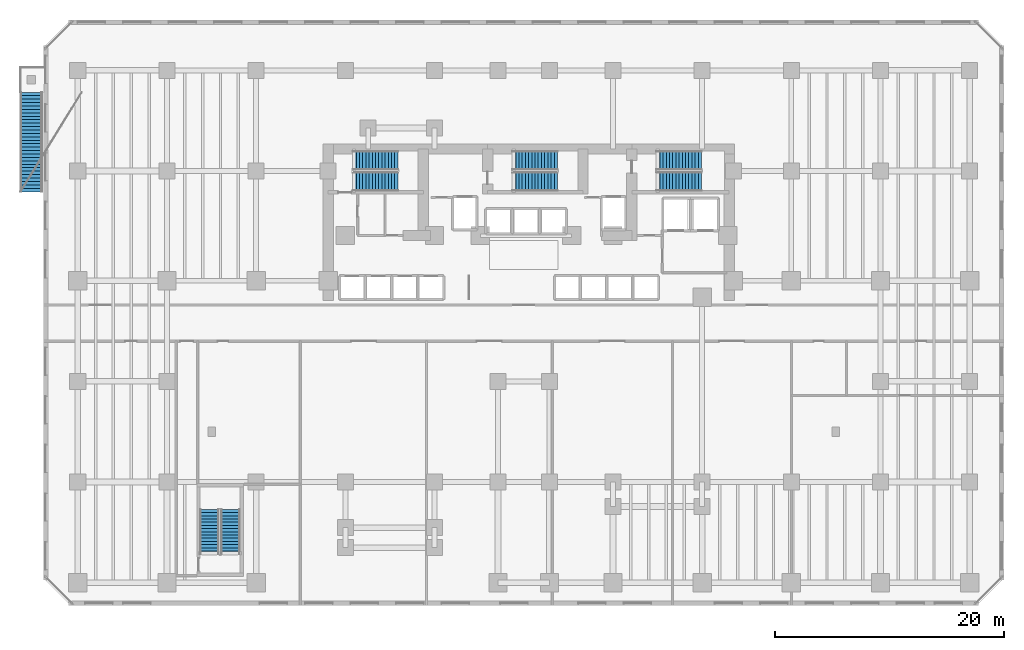
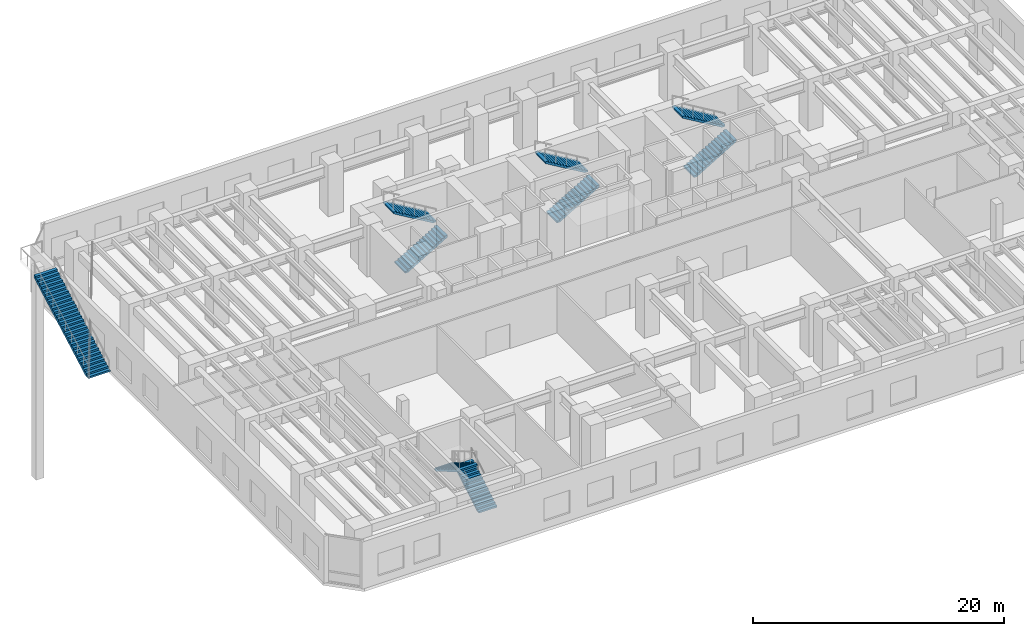
# One storey, part 17 of 20: 9 stair flights, 5 elements without a shape of their own.
"""IFC4 building model written with IfcOpenShell, lengths in metres."""

from ifc_helpers import new_model, si_unit, direction, frame, origin, place, context, subcontext, project, spatial, polyline, outline, extrude, material, type_object, element, aggregate, save


model = new_model("IFC4")

# Units and contexts
model_context = context("Model", 3, precision=1e-05, world=origin(), true_north=direction((0.0, 1.0)))
body_context = subcontext(model_context, "Body", "Model", "MODEL_VIEW")
ifc_project = project(units=[si_unit("LENGTHUNIT", "METRE"), si_unit("AREAUNIT", "SQUARE_METRE"), si_unit("VOLUMEUNIT", "CUBIC_METRE"), si_unit("PLANEANGLEUNIT", "RADIAN"), si_unit("MASSUNIT", "GRAM", prefix="KILO")], contexts=[model_context])

# Site, building, storey
site_placement = place(None, origin())
site = spatial("IfcSite", under=ifc_project, at=site_placement, CompositionType="ELEMENT")
building_placement = place(site_placement, origin())
building = spatial("IfcBuilding", under=site, at=building_placement, Name="Kestravale Grand Hotel", CompositionType="ELEMENT")
storey_placement = place(building_placement, frame((0.0, 0.0, 15.800048828125)))
storey = spatial("IfcBuildingStorey", under=building, at=storey_placement, Name="L03", CompositionType="ELEMENT", Elevation=15.800048828125)

# Stair, stair flights
ifc_material_1 = material(Name="Concrete f'c 45 MPa", Category="concrete")
stair_type_1 = type_object("IfcStairType", Name="ST-CORE-500", PredefinedType="HALF_TURN_STAIR", material=ifc_material_1)
stair_1_placement = place(storey_placement, origin())
stair_1 = element("IfcStair", 1, at=stair_1_placement, inside=storey, type_object=stair_type_1, Name="L03 ST-1", PredefinedType="HALF_TURN_STAIR")
ifc_material_2 = material(Name="Concrete f'c 45 MPa", Category="concrete")
stair_flight_type_1 = type_object("IfcStairFlightType", Name="STF-CORE-500", PredefinedType="STRAIGHT", material=ifc_material_2)
stair_flight_1_placement = place(storey_placement, frame((24.080078125, 37.489990234375, 0.0), z_axis=(0.0, 0.0, 1.0), x_axis=(1.0, 0.0, 0.0)))
stair_flight_1 = element("IfcStairFlight", 2, at=stair_flight_1_placement, type_object=stair_flight_type_1, Name="ST-1 flight 1", NumberOfRisers=15, NumberOfTreads=14, PredefinedType="STRAIGHT", RiserHeight=0.166666667, TreadLength=0.28, context=body_context, shape_type="SweptSolid", body=[
    extrude(outline(polyline([(0.0, 0.0), (0.0, 0.166748046875), (0.280029296875, 0.166748046875), (0.280029296875, 0.333251953125), (0.56005859375, 0.333251953125), (0.56005859375, 0.5), (0.840087890625, 0.5), (0.840087890625, 0.666748046875), (1.1201171875, 0.666748046875), (1.1201171875, 0.833251953125), (1.39990234375, 0.833251953125), (1.39990234375, 1.0), (1.679931640625, 1.0), (1.679931640625, 1.166748046875), (1.9599609375, 1.166748046875), (1.9599609375, 1.333251953125), (2.239990234375, 1.333251953125), (2.239990234375, 1.5), (2.52001953125, 1.5), (2.52001953125, 1.666748046875), (2.800048828125, 1.666748046875), (2.800048828125, 1.833251953125), (3.080078125, 1.833251953125), (3.080078125, 2.0), (3.360107421875, 2.0), (3.360107421875, 2.166748046875), (3.639892578125, 2.166748046875), (3.639892578125, 2.333251953125), (3.919921875, 2.333251953125), (3.919921875, 2.5), (3.919921875, 2.158935546875), (0.29296875, 0.0), (0.0, 0.0)])), frame((0.0, 0.83984375, 0.0), z_axis=(0.0, -1.0, 0.0), x_axis=(1.0, 0.0, 0.0)), (0.0, 0.0, 1.0), 1.679931640625),
])
stair_flight_2_placement = place(storey_placement, frame((28.0, 39.320068359375, 2.5), z_axis=(0.0, 0.0, 1.0), x_axis=(-1.0, 0.0, 0.0)))
stair_flight_2 = element("IfcStairFlight", 3, at=stair_flight_2_placement, type_object=stair_flight_type_1, Name="ST-1 flight 2", NumberOfRisers=15, NumberOfTreads=14, PredefinedType="STRAIGHT", RiserHeight=0.166666667, TreadLength=0.28, context=body_context, shape_type="SweptSolid", body=[
    extrude(outline(polyline([(0.0, 0.0), (0.0, 0.166748046875), (0.280029296875, 0.166748046875), (0.280029296875, 0.333251953125), (0.56005859375, 0.333251953125), (0.56005859375, 0.5), (0.840087890625, 0.5), (0.840087890625, 0.666748046875), (1.1201171875, 0.666748046875), (1.1201171875, 0.833251953125), (1.39990234375, 0.833251953125), (1.39990234375, 1.0), (1.679931640625, 1.0), (1.679931640625, 1.166748046875), (1.9599609375, 1.166748046875), (1.9599609375, 1.333251953125), (2.239990234375, 1.333251953125), (2.239990234375, 1.5), (2.52001953125, 1.5), (2.52001953125, 1.666748046875), (2.800048828125, 1.666748046875), (2.800048828125, 1.833251953125), (3.080078125, 1.833251953125), (3.080078125, 2.0), (3.360107421875, 2.0), (3.360107421875, 2.166748046875), (3.639892578125, 2.166748046875), (3.639892578125, 2.333251953125), (3.919921875, 2.333251953125), (3.919921875, 2.5), (3.919921875, 2.158935546875), (0.29296875, 0.0), (0.0, 0.0)])), frame((0.0, 0.83984375, 0.0), z_axis=(0.0, -1.0, 0.0), x_axis=(1.0, 0.0, 0.0)), (0.0, 0.0, 1.0), 1.679931640625),
])
aggregate(stair_1, [stair_flight_1, stair_flight_2])

stair_2_placement = place(storey_placement, origin())
stair_2 = element("IfcStair", 4, at=stair_2_placement, inside=storey, type_object=stair_type_1, Name="L03 ST-2", PredefinedType="HALF_TURN_STAIR")
stair_flight_3_placement = place(storey_placement, frame((38.030029296875, 37.489990234375, 0.0), z_axis=(0.0, 0.0, 1.0), x_axis=(1.0, 0.0, 0.0)))
stair_flight_3 = element("IfcStairFlight", 5, at=stair_flight_3_placement, type_object=stair_flight_type_1, Name="ST-2 flight 1", NumberOfRisers=15, NumberOfTreads=14, PredefinedType="STRAIGHT", RiserHeight=0.166666667, TreadLength=0.28, context=body_context, shape_type="SweptSolid", body=[
    extrude(outline(polyline([(0.0, 0.0), (0.0, 0.166748046875), (0.280029296875, 0.166748046875), (0.280029296875, 0.333251953125), (0.56005859375, 0.333251953125), (0.56005859375, 0.5), (0.840087890625, 0.5), (0.840087890625, 0.666748046875), (1.1201171875, 0.666748046875), (1.1201171875, 0.833251953125), (1.39990234375, 0.833251953125), (1.39990234375, 1.0), (1.679931640625, 1.0), (1.679931640625, 1.166748046875), (1.9599609375, 1.166748046875), (1.9599609375, 1.333251953125), (2.239990234375, 1.333251953125), (2.239990234375, 1.5), (2.52001953125, 1.5), (2.52001953125, 1.666748046875), (2.800048828125, 1.666748046875), (2.800048828125, 1.833251953125), (3.080078125, 1.833251953125), (3.080078125, 2.0), (3.360107421875, 2.0), (3.360107421875, 2.166748046875), (3.639892578125, 2.166748046875), (3.639892578125, 2.333251953125), (3.919921875, 2.333251953125), (3.919921875, 2.5), (3.919921875, 2.158935546875), (0.29296875, 0.0), (0.0, 0.0)])), frame((0.0, 0.83984375, 0.0), z_axis=(0.0, -1.0, 0.0), x_axis=(1.0, 0.0, 0.0)), (0.0, 0.0, 1.0), 1.679931640625),
])
stair_flight_4_placement = place(storey_placement, frame((41.949951171875, 39.320068359375, 2.5), z_axis=(0.0, 0.0, 1.0), x_axis=(-1.0, 0.0, 0.0)))
stair_flight_4 = element("IfcStairFlight", 6, at=stair_flight_4_placement, type_object=stair_flight_type_1, Name="ST-2 flight 2", NumberOfRisers=15, NumberOfTreads=14, PredefinedType="STRAIGHT", RiserHeight=0.166666667, TreadLength=0.28, context=body_context, shape_type="SweptSolid", body=[
    extrude(outline(polyline([(0.0, 0.0), (0.0, 0.166748046875), (0.280029296875, 0.166748046875), (0.280029296875, 0.333251953125), (0.56005859375, 0.333251953125), (0.56005859375, 0.5), (0.840087890625, 0.5), (0.840087890625, 0.666748046875), (1.1201171875, 0.666748046875), (1.1201171875, 0.833251953125), (1.39990234375, 0.833251953125), (1.39990234375, 1.0), (1.679931640625, 1.0), (1.679931640625, 1.166748046875), (1.9599609375, 1.166748046875), (1.9599609375, 1.333251953125), (2.239990234375, 1.333251953125), (2.239990234375, 1.5), (2.52001953125, 1.5), (2.52001953125, 1.666748046875), (2.800048828125, 1.666748046875), (2.800048828125, 1.833251953125), (3.080078125, 1.833251953125), (3.080078125, 2.0), (3.360107421875, 2.0), (3.360107421875, 2.166748046875), (3.639892578125, 2.166748046875), (3.639892578125, 2.333251953125), (3.919921875, 2.333251953125), (3.919921875, 2.5), (3.919921875, 2.158935546875), (0.29296875, 0.0), (0.0, 0.0)])), frame((0.0, 0.83984375, 0.0), z_axis=(0.0, -1.0, 0.0), x_axis=(1.0, 0.0, 0.0)), (0.0, 0.0, 1.0), 1.679931640625),
])
aggregate(stair_2, [stair_flight_3, stair_flight_4])

stair_3_placement = place(storey_placement, origin())
stair_3 = element("IfcStair", 7, at=stair_3_placement, inside=storey, type_object=stair_type_1, Name="L03 ST-3", PredefinedType="HALF_TURN_STAIR")
stair_flight_5_placement = place(storey_placement, frame((50.6298828125, 37.489990234375, 0.0), z_axis=(0.0, 0.0, 1.0), x_axis=(1.0, 0.0, 0.0)))
stair_flight_5 = element("IfcStairFlight", 8, at=stair_flight_5_placement, type_object=stair_flight_type_1, Name="ST-3 flight 1", NumberOfRisers=15, NumberOfTreads=14, PredefinedType="STRAIGHT", RiserHeight=0.166666667, TreadLength=0.28, context=body_context, shape_type="SweptSolid", body=[
    extrude(outline(polyline([(0.0, 0.0), (0.0, 0.166748046875), (0.280029296875, 0.166748046875), (0.280029296875, 0.333251953125), (0.56005859375, 0.333251953125), (0.56005859375, 0.5), (0.840087890625, 0.5), (0.840087890625, 0.666748046875), (1.1201171875, 0.666748046875), (1.1201171875, 0.833251953125), (1.39990234375, 0.833251953125), (1.39990234375, 1.0), (1.679931640625, 1.0), (1.679931640625, 1.166748046875), (1.9599609375, 1.166748046875), (1.9599609375, 1.333251953125), (2.239990234375, 1.333251953125), (2.239990234375, 1.5), (2.52001953125, 1.5), (2.52001953125, 1.666748046875), (2.800048828125, 1.666748046875), (2.800048828125, 1.833251953125), (3.080078125, 1.833251953125), (3.080078125, 2.0), (3.360107421875, 2.0), (3.360107421875, 2.166748046875), (3.639892578125, 2.166748046875), (3.639892578125, 2.333251953125), (3.919921875, 2.333251953125), (3.919921875, 2.5), (3.919921875, 2.158935546875), (0.29296875, 0.0), (0.0, 0.0)])), frame((0.0, 0.83984375, 0.0), z_axis=(0.0, -1.0, 0.0), x_axis=(1.0, 0.0, 0.0)), (0.0, 0.0, 1.0), 1.679931640625),
])
stair_flight_6_placement = place(storey_placement, frame((54.550048828125, 39.320068359375, 2.5), z_axis=(0.0, 0.0, 1.0), x_axis=(-1.0, 0.0, 0.0)))
stair_flight_6 = element("IfcStairFlight", 9, at=stair_flight_6_placement, type_object=stair_flight_type_1, Name="ST-3 flight 2", NumberOfRisers=15, NumberOfTreads=14, PredefinedType="STRAIGHT", RiserHeight=0.166666667, TreadLength=0.28, context=body_context, shape_type="SweptSolid", body=[
    extrude(outline(polyline([(0.0, 0.0), (0.0, 0.166748046875), (0.280029296875, 0.166748046875), (0.280029296875, 0.333251953125), (0.56005859375, 0.333251953125), (0.56005859375, 0.5), (0.840087890625, 0.5), (0.840087890625, 0.666748046875), (1.1201171875, 0.666748046875), (1.1201171875, 0.833251953125), (1.39990234375, 0.833251953125), (1.39990234375, 1.0), (1.679931640625, 1.0), (1.679931640625, 1.166748046875), (1.9599609375, 1.166748046875), (1.9599609375, 1.333251953125), (2.239990234375, 1.333251953125), (2.239990234375, 1.5), (2.52001953125, 1.5), (2.52001953125, 1.666748046875), (2.800048828125, 1.666748046875), (2.800048828125, 1.833251953125), (3.080078125, 1.833251953125), (3.080078125, 2.0), (3.360107421875, 2.0), (3.360107421875, 2.166748046875), (3.639892578125, 2.166748046875), (3.639892578125, 2.333251953125), (3.919921875, 2.333251953125), (3.919921875, 2.5), (3.919921875, 2.158935546875), (0.29296875, 0.0), (0.0, 0.0)])), frame((0.0, 0.83984375, 0.0), z_axis=(0.0, -1.0, 0.0), x_axis=(1.0, 0.0, 0.0)), (0.0, 0.0, 1.0), 1.679931640625),
])
aggregate(stair_3, [stair_flight_5, stair_flight_6])

stair_4_placement = place(storey_placement, origin())
stair_4 = element("IfcStair", 10, at=stair_4_placement, inside=storey, type_object=stair_type_1, Name="L03 ST-4", PredefinedType="HALF_TURN_STAIR")
stair_flight_7_placement = place(storey_placement, frame((13.360107421875, 4.8798828125, 0.0), z_axis=(0.0, 0.0, 1.0), x_axis=(0.0, 1.0, 0.0)))
stair_flight_7 = element("IfcStairFlight", 11, at=stair_flight_7_placement, type_object=stair_flight_type_1, Name="ST-4 flight 1", NumberOfRisers=15, NumberOfTreads=14, PredefinedType="STRAIGHT", RiserHeight=0.166666667, TreadLength=0.28, context=body_context, shape_type="SweptSolid", body=[
    extrude(outline(polyline([(0.0, 0.0), (0.0, 0.166748046875), (0.280029296875, 0.166748046875), (0.280029296875, 0.333251953125), (0.56005859375, 0.333251953125), (0.56005859375, 0.5), (0.840087890625, 0.5), (0.840087890625, 0.666748046875), (1.1201171875, 0.666748046875), (1.1201171875, 0.833251953125), (1.39990234375, 0.833251953125), (1.39990234375, 1.0), (1.679931640625, 1.0), (1.679931640625, 1.166748046875), (1.9599609375, 1.166748046875), (1.9599609375, 1.333251953125), (2.239990234375, 1.333251953125), (2.239990234375, 1.5), (2.52001953125, 1.5), (2.52001953125, 1.666748046875), (2.800048828125, 1.666748046875), (2.800048828125, 1.833251953125), (3.080078125, 1.833251953125), (3.080078125, 2.0), (3.360107421875, 2.0), (3.360107421875, 2.166748046875), (3.639892578125, 2.166748046875), (3.639892578125, 2.333251953125), (3.919921875, 2.333251953125), (3.919921875, 2.5), (3.919921875, 2.158935546875), (0.29296875, 0.0), (0.0, 0.0)])), frame((0.0, 0.83984375, 0.0), z_axis=(0.0, -1.0, 0.0), x_axis=(1.0, 0.0, 0.0)), (0.0, 0.0, 1.0), 1.679931640625),
])
stair_flight_8_placement = place(storey_placement, frame((11.530029296875, 8.800048828125, 2.5), z_axis=(0.0, 0.0, 1.0), x_axis=(0.0, -1.0, 0.0)))
stair_flight_8 = element("IfcStairFlight", 12, at=stair_flight_8_placement, type_object=stair_flight_type_1, Name="ST-4 flight 2", NumberOfRisers=15, NumberOfTreads=14, PredefinedType="STRAIGHT", RiserHeight=0.166666667, TreadLength=0.28, context=body_context, shape_type="SweptSolid", body=[
    extrude(outline(polyline([(0.0, 0.0), (0.0, 0.166748046875), (0.280029296875, 0.166748046875), (0.280029296875, 0.333251953125), (0.56005859375, 0.333251953125), (0.56005859375, 0.5), (0.840087890625, 0.5), (0.840087890625, 0.666748046875), (1.1201171875, 0.666748046875), (1.1201171875, 0.833251953125), (1.39990234375, 0.833251953125), (1.39990234375, 1.0), (1.679931640625, 1.0), (1.679931640625, 1.166748046875), (1.9599609375, 1.166748046875), (1.9599609375, 1.333251953125), (2.239990234375, 1.333251953125), (2.239990234375, 1.5), (2.52001953125, 1.5), (2.52001953125, 1.666748046875), (2.800048828125, 1.666748046875), (2.800048828125, 1.833251953125), (3.080078125, 1.833251953125), (3.080078125, 2.0), (3.360107421875, 2.0), (3.360107421875, 2.166748046875), (3.639892578125, 2.166748046875), (3.639892578125, 2.333251953125), (3.919921875, 2.333251953125), (3.919921875, 2.5), (3.919921875, 2.158935546875), (0.29296875, 0.0), (0.0, 0.0)])), frame((0.0, 0.83984375, 0.0), z_axis=(0.0, -1.0, 0.0), x_axis=(1.0, 0.0, 0.0)), (0.0, 0.0, 1.0), 1.679931640625),
])
aggregate(stair_4, [stair_flight_7, stair_flight_8])

# Stair, stair flight
ifc_material_3 = material(Name="Concrete f'c 45 MPa", Category="concrete")
stair_type_2 = type_object("IfcStairType", Name="ST-EXT-GDN", PredefinedType="STRAIGHT_RUN_STAIR", material=ifc_material_3)
stair_5_placement = place(storey_placement, origin())
stair_5 = element("IfcStair", 13, at=stair_5_placement, inside=storey, type_object=stair_type_2, Name="L03 cascading public garden stair 4", PredefinedType="STRAIGHT_RUN_STAIR")
ifc_material_4 = material(Name="Concrete f'c 45 MPa", Category="concrete")
stair_flight_type_2 = type_object("IfcStairFlightType", Name="STF-EXT-GDN", PredefinedType="STRAIGHT", material=ifc_material_4)
stair_flight_9_placement = place(storey_placement, frame((-4.050048828125, 36.580078125, 0.0), z_axis=(0.0, 0.0, 1.0), x_axis=(0.0, 1.0, 0.0)))
stair_flight_9 = element("IfcStairFlight", 14, at=stair_flight_9_placement, type_object=stair_flight_type_2, Name="ST-G4 flight 1", NumberOfRisers=30, NumberOfTreads=29, PredefinedType="STRAIGHT", RiserHeight=0.166666667, TreadLength=0.3, context=body_context, shape_type="SweptSolid", body=[
    extrude(outline(polyline([(0.0, 0.0), (0.0, 0.166748046875), (0.300048828125, 0.166748046875), (0.300048828125, 0.333251953125), (0.60009765625, 0.333251953125), (0.60009765625, 0.5), (0.89990234375, 0.5), (0.89990234375, 0.666748046875), (1.199951171875, 0.666748046875), (1.199951171875, 0.833251953125), (1.5, 0.833251953125), (1.5, 1.0), (1.800048828125, 1.0), (1.800048828125, 1.166748046875), (2.10009765625, 1.166748046875), (2.10009765625, 1.333251953125), (2.39990234375, 1.333251953125), (2.39990234375, 1.5), (2.699951171875, 1.5), (2.699951171875, 1.666748046875), (3.0, 1.666748046875), (3.0, 1.833251953125), (3.300048828125, 1.833251953125), (3.300048828125, 2.0), (3.60009765625, 2.0), (3.60009765625, 2.166748046875), (3.89990234375, 2.166748046875), (3.89990234375, 2.333251953125), (4.199951171875, 2.333251953125), (4.199951171875, 2.5), (4.5, 2.5), (4.5, 2.666748046875), (4.800048828125, 2.666748046875), (4.800048828125, 2.833251953125), (5.10009765625, 2.833251953125), (5.10009765625, 3.0), (5.39990234375, 3.0), (5.39990234375, 3.166748046875), (5.699951171875, 3.166748046875), (5.699951171875, 3.333251953125), (6.0, 3.333251953125), (6.0, 3.5), (6.300048828125, 3.5), (6.300048828125, 3.666748046875), (6.60009765625, 3.666748046875), (6.60009765625, 3.833251953125), (6.89990234375, 3.833251953125), (6.89990234375, 4.0), (7.199951171875, 4.0), (7.199951171875, 4.166748046875), (7.5, 4.166748046875), (7.5, 4.333251953125), (7.800048828125, 4.333251953125), (7.800048828125, 4.5), (8.10009765625, 4.5), (8.10009765625, 4.666748046875), (8.39990234375, 4.666748046875), (8.39990234375, 4.833251953125), (8.699951171875, 4.833251953125), (8.699951171875, 5.0), (8.699951171875, 4.581787109375), (0.452880859375, 0.0), (0.0, 0.0)])), frame((0.0, 1.0, 0.0), z_axis=(0.0, -1.0, 0.0), x_axis=(1.0, 0.0, 0.0)), (0.0, 0.0, 1.0), 2.0),
])
aggregate(stair_5, [stair_flight_9])

save(model, "model.ifc")
